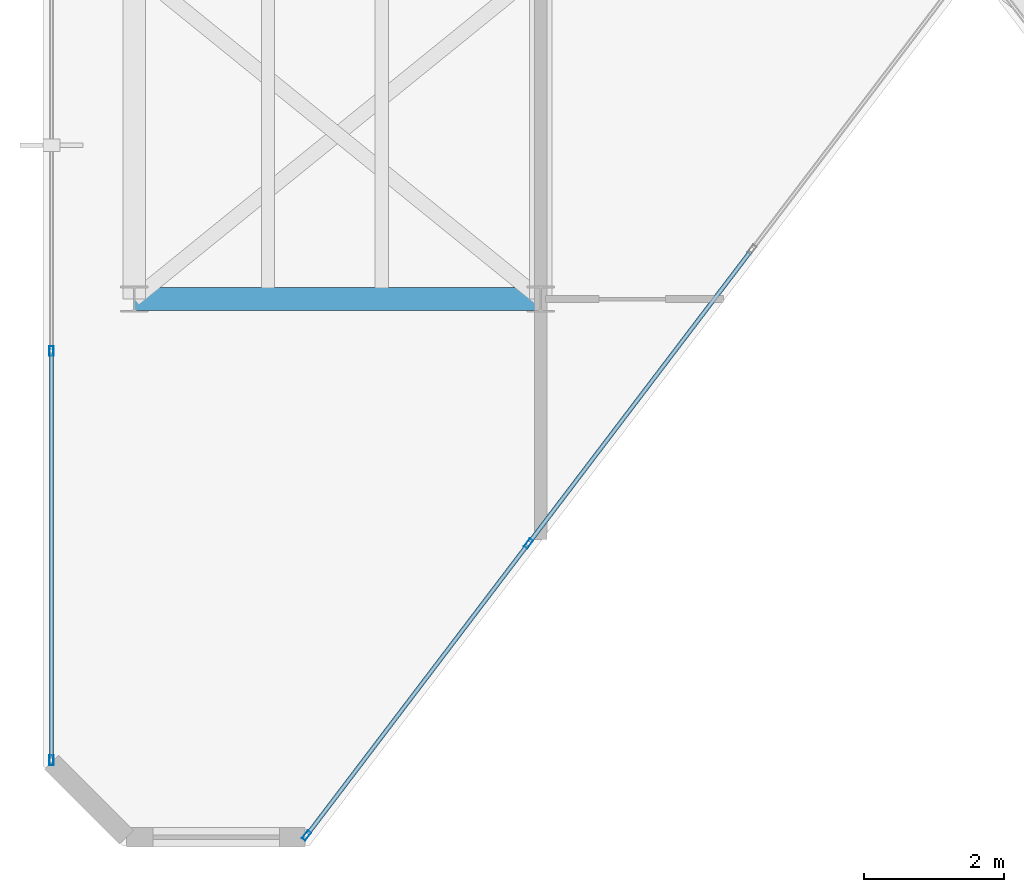
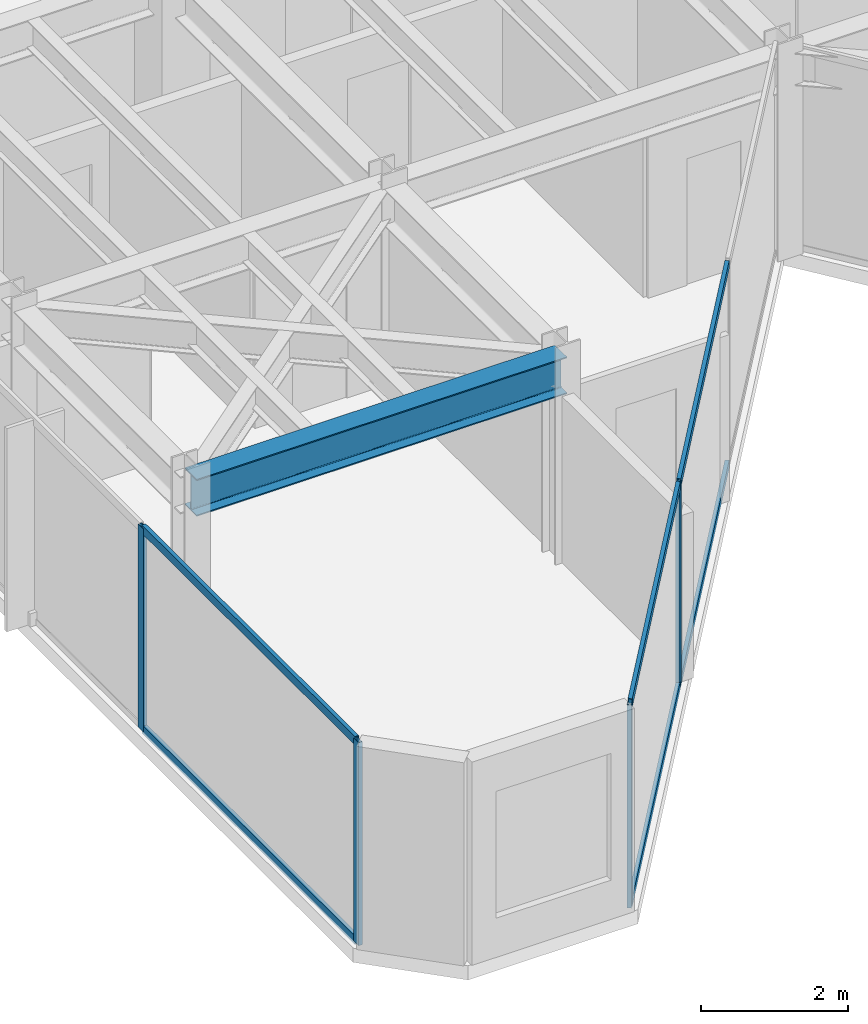
# One storey, part 2 of 17: 10 members, 1 beam, 2 elements without a shape of their own.
"""IFC4 building model written with IfcOpenShell, lengths in metres."""

from ifc_helpers import new_model, si_unit, direction, frame, origin, origin_2d, place, context, subcontext, project, spatial, hollow_rectangle, i_section, extrude, material, layer, layer_set, material_profile, profile_set, type_object, element, aggregate, save


model = new_model("IFC4")

# Units and contexts
model_context = context("Model", 3, precision=1e-05, world=origin(), true_north=direction((0.0, 1.0)))
body_context = subcontext(model_context, "Body", "Model", "MODEL_VIEW")
ifc_project = project(units=[si_unit("LENGTHUNIT", "METRE"), si_unit("AREAUNIT", "SQUARE_METRE"), si_unit("VOLUMEUNIT", "CUBIC_METRE"), si_unit("PLANEANGLEUNIT", "RADIAN"), si_unit("MASSUNIT", "GRAM", prefix="KILO")], contexts=[model_context])

# Site, building, storey
site_placement = place(None, origin())
site = spatial("IfcSite", under=ifc_project, at=site_placement, CompositionType="ELEMENT")
building_placement = place(site_placement, origin())
building = spatial("IfcBuilding", under=site, at=building_placement, Name="Kravanh Interchange Tower", CompositionType="ELEMENT")
storey_placement = place(building_placement, frame((0.0, 0.0, 282.300048828125)))
storey = spatial("IfcBuildingStorey", under=building, at=storey_placement, Name="L69", CompositionType="ELEMENT", Elevation=282.300048828125)

# Curtain wall, members
ifc_material_1 = material(Name="Anodised Bronze Aluminium", Category="aluminium")
ifc_layer = layer(ifc_material_1, 0.179931640625)
ifc_layer_set = layer_set([ifc_layer], Name="Unitised Curtain Wall System CW-HTL Luxury Hotel")
curtain_wall_type = type_object("IfcCurtainWallType", Name="Unitised Curtain Wall System CW-HTL Luxury Hotel", PredefinedType="NOTDEFINED", material=ifc_layer_set)
curtain_wall_1_placement = place(storey_placement, origin())
curtain_wall_1 = element("IfcCurtainWall", 1, at=curtain_wall_1_placement, inside=storey, type_object=curtain_wall_type, Name="L69 Unitised Curtain Wall CW-L69-01", PredefinedType="NOTDEFINED")
ifc_material_2 = material(Name="Anodised Bronze Aluminium", Category="aluminium")
ifc_material_profile_1 = material_profile(ifc_material_2, hollow_rectangle(XDim=0.06005859375, YDim=0.139892578125, WallThickness=0.00390625, at=origin_2d()), Name="ALU60X140X4")
ifc_profile_set_1 = profile_set([ifc_material_profile_1], Name="Anodised Bronze Aluminium")
member_type_1 = type_object("IfcMemberType", Name="Curtain Wall Mullion ALU60X140X4 Bronze", PredefinedType="MULLION", material=ifc_profile_set_1)
member_1_placement = place(storey_placement, frame((31.6201171875, 20.2197265625, 0.0), z_axis=(0.0, 0.0, 1.0), x_axis=(-1.0, 0.0, 0.0)))
member_1 = element("IfcMember", 2, at=member_1_placement, type_object=member_type_1, Name="CW-HTL mullion 1", PredefinedType="MULLION", context=body_context, shape_type="SweptSolid", body=[
    extrude(hollow_rectangle(XDim=0.06005859375, YDim=0.139892578125, WallThickness=0.00390625, at=origin_2d()), origin(), (0.0, 0.0, 1.0), 3.364990234375),
])
member_2_placement = place(storey_placement, frame((31.6201171875, 26.059814453125, 0.0), z_axis=(0.0, 0.0, 1.0), x_axis=(-1.0, 0.0, 0.0)))
member_2 = element("IfcMember", 3, at=member_2_placement, type_object=member_type_1, Name="CW-HTL mullion 2", PredefinedType="MULLION", context=body_context, shape_type="SweptSolid", body=[
    extrude(hollow_rectangle(XDim=0.06005859375, YDim=0.139892578125, WallThickness=0.00390625, at=origin_2d()), origin(), (0.0, 0.0, 1.0), 3.364990234375),
])

curtain_wall_2_placement = place(storey_placement, origin())
curtain_wall_2 = element("IfcCurtainWall", 4, at=curtain_wall_2_placement, inside=storey, type_object=curtain_wall_type, Name="L69 Unitised Curtain Wall CW-L69-05", PredefinedType="NOTDEFINED")
member_3_placement = place(storey_placement, frame((38.427001953125, 23.312744140625, 0.0), z_axis=(0.0, 0.0, 1.0), x_axis=(0.79616243806, -0.605082946564, 0.0)))
member_3 = element("IfcMember", 5, at=member_3_placement, type_object=member_type_1, Name="CW-HTL mullion 3", PredefinedType="MULLION", context=body_context, shape_type="SweptSolid", body=[
    extrude(hollow_rectangle(XDim=0.06005859375, YDim=0.139892578125, WallThickness=0.00390625, at=origin_2d()), origin(), (0.0, 0.0, 1.0), 3.364990234375),
])
member_4_placement = place(storey_placement, frame((35.258544921875, 19.143798828125, 0.0), z_axis=(0.0, 0.0, 1.0), x_axis=(0.79616243806, -0.605082946564, 0.0)))
member_4 = element("IfcMember", 6, at=member_4_placement, type_object=member_type_1, Name="CW-HTL mullion 4", PredefinedType="MULLION", context=body_context, shape_type="SweptSolid", body=[
    extrude(hollow_rectangle(XDim=0.06005859375, YDim=0.139892578125, WallThickness=0.00390625, at=origin_2d()), origin(), (0.0, 0.0, 1.0), 3.364990234375),
])

# Member
ifc_material_3 = material(Name="Anodised Bronze Aluminium", Category="aluminium")
ifc_material_profile_2 = material_profile(ifc_material_3, hollow_rectangle(XDim=0.06005859375, YDim=0.139892578125, WallThickness=0.00390625, at=origin_2d()), Name="ALU60X140X4")
ifc_profile_set_2 = profile_set([ifc_material_profile_2], Name="Anodised Bronze Aluminium")
member_type_2 = type_object("IfcMemberType", Name="Curtain Wall Transom ALU60X140X4 Bronze", PredefinedType="USERDEFINED", material=ifc_profile_set_2)
member_5_placement = place(storey_placement, frame((31.6201171875, 20.249755859375, 0.030029296875), z_axis=(0.0, 1.0, 0.0), x_axis=(-1.0, 0.0, 0.0)))
member_5 = element("IfcMember", 7, at=member_5_placement, type_object=member_type_2, Name="CW-HTL transom 1.1", ObjectType="TRANSOM", PredefinedType="USERDEFINED", context=body_context, shape_type="SweptSolid", body=[
    extrude(hollow_rectangle(XDim=0.06005859375, YDim=0.139892578125, WallThickness=0.00390625, at=origin_2d()), origin(), (0.0, 0.0, 1.0), 5.780029296875),
])

member_6_placement = place(storey_placement, frame((31.6201171875, 20.249755859375, 3.3349609375), z_axis=(0.0, 1.0, 0.0), x_axis=(-1.0, 0.0, 0.0)))
member_6 = element("IfcMember", 8, at=member_6_placement, type_object=member_type_2, Name="CW-HTL transom 1.2", ObjectType="TRANSOM", PredefinedType="USERDEFINED", context=body_context, shape_type="SweptSolid", body=[
    extrude(hollow_rectangle(XDim=0.06005859375, YDim=0.139892578125, WallThickness=0.00390625, at=origin_2d()), origin(), (0.0, 0.0, 1.0), 5.780029296875),
])

aggregate(curtain_wall_1, [member_1, member_2, member_5, member_6])

member_7_placement = place(storey_placement, frame((41.595458984375, 27.481689453125, 0.030029296875), z_axis=(-0.605104668693, -0.796145928788, 0.0), x_axis=(0.796145928788, -0.605104668693, 0.0)))
member_7 = element("IfcMember", 9, at=member_7_placement, type_object=member_type_2, Name="CW-HTL transom 2.1", ObjectType="TRANSOM", PredefinedType="USERDEFINED", context=body_context, shape_type="SweptSolid", body=[
    extrude(hollow_rectangle(XDim=0.06005859375, YDim=0.139892578125, WallThickness=0.00390625, at=origin_2d()), origin(), (0.0, 0.0, 1.0), 5.206298828125),
])

member_8_placement = place(storey_placement, frame((41.595458984375, 27.481689453125, 3.3349609375), z_axis=(-0.605104668693, -0.796145928788, 0.0), x_axis=(0.796145928788, -0.605104668693, 0.0)))
member_8 = element("IfcMember", 10, at=member_8_placement, type_object=member_type_2, Name="CW-HTL transom 2.2", ObjectType="TRANSOM", PredefinedType="USERDEFINED", context=body_context, shape_type="SweptSolid", body=[
    extrude(hollow_rectangle(XDim=0.06005859375, YDim=0.139892578125, WallThickness=0.00390625, at=origin_2d()), origin(), (0.0, 0.0, 1.0), 5.206298828125),
])

member_9_placement = place(storey_placement, frame((38.408935546875, 23.288818359375, 0.030029296875), z_axis=(-0.605089246946, -0.796157649734, 0.0), x_axis=(0.796157649734, -0.605089246946, 0.0)))
member_9 = element("IfcMember", 11, at=member_9_placement, type_object=member_type_2, Name="CW-HTL transom 3.1", ObjectType="TRANSOM", PredefinedType="USERDEFINED", context=body_context, shape_type="SweptSolid", body=[
    extrude(hollow_rectangle(XDim=0.06005859375, YDim=0.139892578125, WallThickness=0.00390625, at=origin_2d()), origin(), (0.0, 0.0, 1.0), 5.17626953125),
])

member_10_placement = place(storey_placement, frame((38.408935546875, 23.288818359375, 3.3349609375), z_axis=(-0.605089246946, -0.796157649734, 0.0), x_axis=(0.796157649734, -0.605089246946, 0.0)))
member_10 = element("IfcMember", 12, at=member_10_placement, type_object=member_type_2, Name="CW-HTL transom 3.2", ObjectType="TRANSOM", PredefinedType="USERDEFINED", context=body_context, shape_type="SweptSolid", body=[
    extrude(hollow_rectangle(XDim=0.06005859375, YDim=0.139892578125, WallThickness=0.00390625, at=origin_2d()), origin(), (0.0, 0.0, 1.0), 5.17626953125),
])

aggregate(curtain_wall_2, [member_3, member_4, member_7, member_8, member_9, member_10])

# Beam
ifc_material_4 = material(Name="Structural Steel S355", Category="steel")
ifc_material_profile_3 = material_profile(ifc_material_4, i_section(OverallWidth=0.323974609375, OverallDepth=0.611083984375, WebThickness=0.0126953125, FlangeThickness=0.01904296875, FilletRadius=0.02197265625, at=origin_2d()), Name="W24X104")
ifc_profile_set_3 = profile_set([ifc_material_profile_3], Name="Structural Steel S355")
beam_type = type_object("IfcBeamType", Name="Floor Beam W24X104 Structural Steel S355", PredefinedType="BEAM", material=ifc_profile_set_3)
beam_placement = place(storey_placement, frame((38.60009765625, 26.800048828125, 3.0595703125), z_axis=(-1.0, 0.0, 0.0), x_axis=(0.0, -1.0, 0.0)))
element("IfcBeam", 13, at=beam_placement, inside=storey, type_object=beam_type, Name="L69 Primary Floor Girder 24", PredefinedType="BEAM", context=body_context, shape_type="SweptSolid", body=[
    extrude(i_section(OverallWidth=0.323974609375, OverallDepth=0.611083984375, WebThickness=0.0126953125, FlangeThickness=0.01904296875, FilletRadius=0.02197265625, at=origin_2d()), origin(), (0.0, 0.0, 1.0), 5.800048828125),
])

save(model, "model.ifc")
